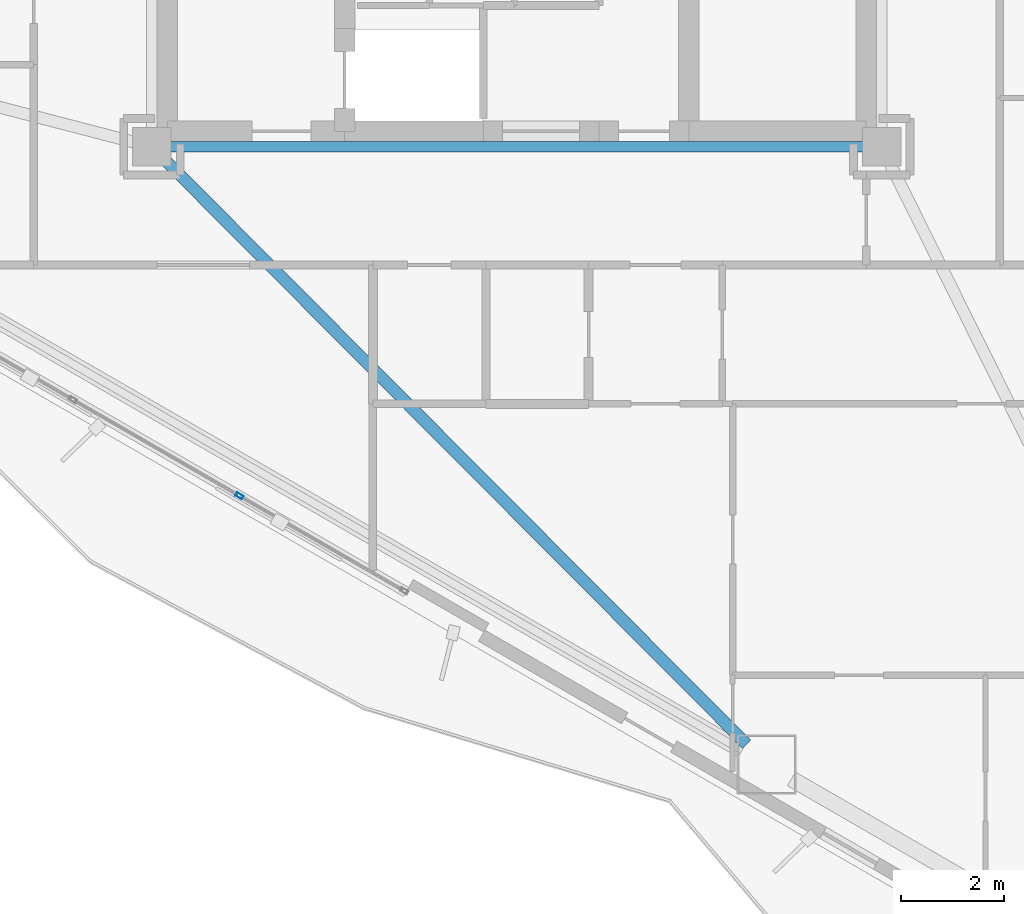
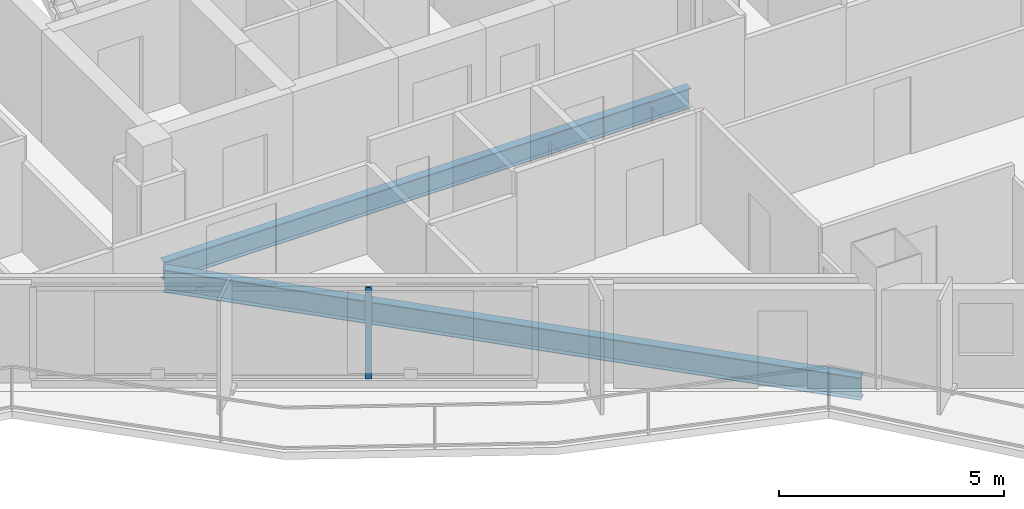
# One storey, part 4 of 23: 2 beams, 1 member, 1 element without a shape of its own.
"""IFC4 building model written with IfcOpenShell, lengths in metres."""

from ifc_helpers import new_model, si_unit, direction, frame, origin, origin_2d, place, context, subcontext, project, spatial, hollow_rectangle, i_section, extrude, material, layer, layer_set, material_profile, profile_set, type_object, element, aggregate, save


model = new_model("IFC4")

# Units and contexts
model_context = context("Model", 3, precision=1e-05, world=origin(), true_north=direction((0.0, 1.0)))
body_context = subcontext(model_context, "Body", "Model", "MODEL_VIEW")
ifc_project = project(units=[si_unit("LENGTHUNIT", "METRE"), si_unit("AREAUNIT", "SQUARE_METRE"), si_unit("VOLUMEUNIT", "CUBIC_METRE"), si_unit("PLANEANGLEUNIT", "RADIAN"), si_unit("MASSUNIT", "GRAM", prefix="KILO")], contexts=[model_context])

# Site, building, storey
site_placement = place(None, origin())
site = spatial("IfcSite", under=ifc_project, at=site_placement, CompositionType="ELEMENT")
building_placement = place(site_placement, origin())
building = spatial("IfcBuilding", under=site, at=building_placement, Name="Mersakhor Tower and Convention Hall", CompositionType="ELEMENT")
storey_placement = place(building_placement, frame((0.0, 0.0, 106.5)))
storey = spatial("IfcBuildingStorey", under=building, at=storey_placement, Name="L29", CompositionType="ELEMENT", Elevation=106.5)

# Beams
ifc_material_1 = material(Name="Steel S355", Category="steel")
ifc_material_profile_1 = material_profile(ifc_material_1, i_section(OverallWidth=0.2099609375, OverallDepth=0.53662109375, WebThickness=0.0107421875, FlangeThickness=0.017333984375, at=origin_2d()), Name="UB 533x210x101")
ifc_profile_set_1 = profile_set([ifc_material_profile_1], Name="Steel S355")
beam_type_1 = type_object("IfcBeamType", Name="BM-FB-533", PredefinedType="BEAM", material=ifc_profile_set_1)
beam_1_placement = place(storey_placement, frame((35.7451171875, 20.449951171875, -0.518310546875), z_axis=(-1.0, 0.0, 0.0), x_axis=(0.0, -1.0, 0.0)))
element("IfcBeam", 1, at=beam_1_placement, inside=storey, type_object=beam_type_1, Name="L29 Core Ring Tie Beam CRB-4", PredefinedType="BEAM", context=body_context, shape_type="SweptSolid", body=[
    extrude(i_section(OverallWidth=0.2099609375, OverallDepth=0.53662109375, WebThickness=0.0107421875, FlangeThickness=0.017333984375, at=origin_2d()), origin(), (0.0, 0.0, 1.0), 13.490234375),
])
ifc_material_2 = material(Name="Steel S355", Category="steel")
ifc_material_profile_2 = material_profile(ifc_material_2, i_section(OverallWidth=0.22900390625, OverallDepth=0.6123046875, WebThickness=0.011962890625, FlangeThickness=0.01953125, at=origin_2d()), Name="UB 610x229x125")
ifc_profile_set_2 = profile_set([ifc_material_profile_2], Name="Steel S355")
beam_type_2 = type_object("IfcBeamType", Name="BM-PR-610", PredefinedType="BEAM", material=ifc_profile_set_2)
beam_2_placement = place(storey_placement, frame((22.150390625, 20.198486328125, -0.55615234375), z_axis=(0.705400971754, -0.708808485452, 0.0), x_axis=(0.708808485452, 0.705400971754, 0.0)))
element("IfcBeam", 2, at=beam_2_placement, inside=storey, type_object=beam_type_2, Name="L29 Primary Floor Girder FG-5", PredefinedType="BEAM", context=body_context, shape_type="SweptSolid", body=[
    extrude(i_section(OverallWidth=0.22900390625, OverallDepth=0.6123046875, WebThickness=0.011962890625, FlangeThickness=0.01953125, at=origin_2d()), origin(), (0.0, 0.0, 1.0), 16.049072265625),
])

# Curtain wall, member
ifc_material_3 = material(Name="Dark solar low-E aluminium curtain wall", Category="aluminium")
ifc_layer = layer(ifc_material_3, 0.159912109375)
ifc_layer_set = layer_set([ifc_layer], Name="Dark solar low-E aluminium curtain wall")
curtain_wall_type = type_object("IfcCurtainWallType", Name="CW-SYS-01", PredefinedType="USERDEFINED", material=ifc_layer_set)
curtain_wall_placement = place(storey_placement, origin())
curtain_wall = element("IfcCurtainWall", 3, at=curtain_wall_placement, inside=storey, type_object=curtain_wall_type, Name="L29 Dark-Glass Curtain Wall F3-B2", ObjectType="CURTAIN WALL", PredefinedType="USERDEFINED")
ifc_material_4 = material(Name="Anodised aluminium EN AW-6063 T6", Category="aluminium")
ifc_material_profile_3 = material_profile(ifc_material_4, hollow_rectangle(XDim=0.074951171875, YDim=0.14990234375, WallThickness=0.00634765625, at=origin_2d()), Name="RHS 150x75x6.3")
ifc_profile_set_3 = profile_set([ifc_material_profile_3], Name="Anodised aluminium EN AW-6063 T6")
member_type = type_object("IfcMemberType", Name="CWM-150x75", PredefinedType="MULLION", material=ifc_profile_set_3)
member_placement = place(storey_placement, frame((23.603515625, 13.659912109375, 0.199951171875), z_axis=(0.0, 0.0, 1.0), x_axis=(-0.499997904985, -0.866026613339, 0.0)))
member = element("IfcMember", 4, at=member_placement, type_object=member_type, Name="CW-01 mullion 2", PredefinedType="MULLION", context=body_context, shape_type="SweptSolid", body=[
    extrude(hollow_rectangle(XDim=0.074951171875, YDim=0.14990234375, WallThickness=0.00634765625, at=origin_2d()), origin(), (0.0, 0.0, 1.0), 2.469970703125),
])
aggregate(curtain_wall, [member])

save(model, "model.ifc")
